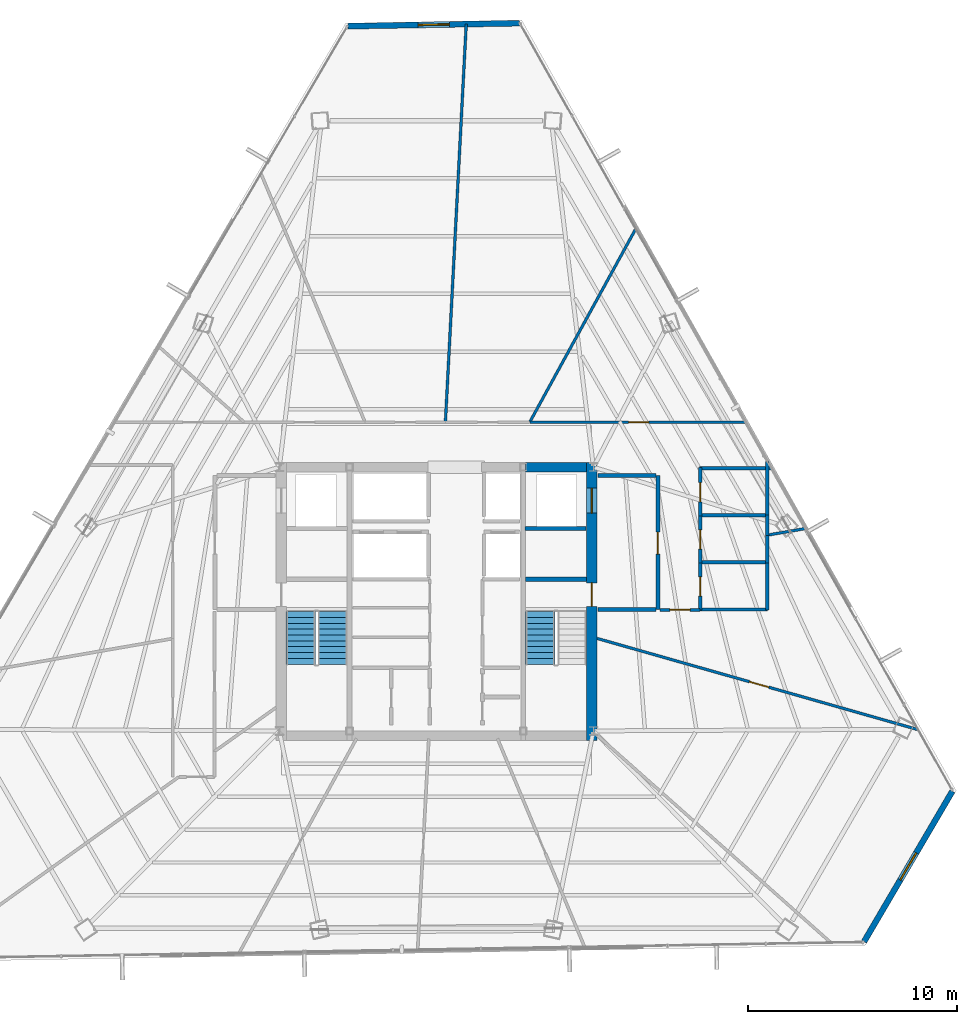
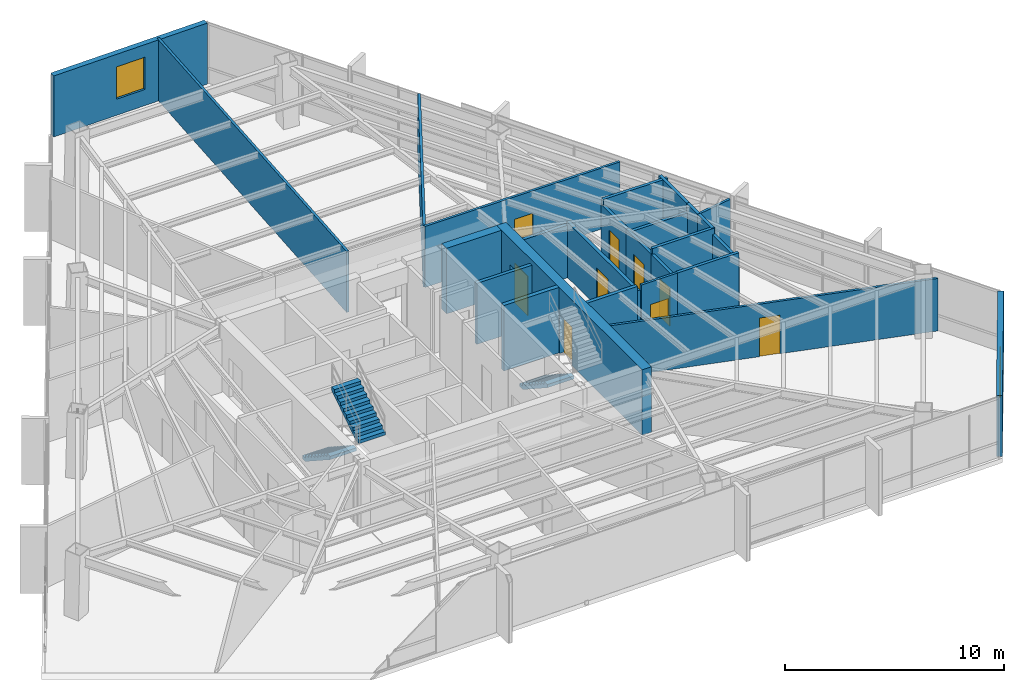
# One storey, part 37 of 42: 26 walls, 9 doors, 3 stair flights, 2 windows, 11 openings, 2 elements without a shape of their own.
"""IFC4 building model written with IfcOpenShell, lengths in metres."""

from ifc_helpers import new_model, si_unit, direction, frame, frame_2d, origin, place, context, subcontext, project, spatial, polyline, rectangle, outline, extrude, material, layer, layer_set, type_object, element, fill, aggregate, save


model = new_model("IFC4")

# Units and contexts
model_context = context("Model", 3, precision=1e-05, world=origin(), true_north=direction((0.0, 1.0)))
body_context = subcontext(model_context, "Body", "Model", "MODEL_VIEW")
ifc_project = project(units=[si_unit("LENGTHUNIT", "METRE"), si_unit("AREAUNIT", "SQUARE_METRE"), si_unit("VOLUMEUNIT", "CUBIC_METRE"), si_unit("PLANEANGLEUNIT", "RADIAN"), si_unit("MASSUNIT", "GRAM", prefix="KILO")], contexts=[model_context])

# Site, building, storey
site_placement = place(None, origin())
site = spatial("IfcSite", under=ifc_project, at=site_placement, CompositionType="ELEMENT")
building_placement = place(site_placement, origin())
building = spatial("IfcBuilding", under=site, at=building_placement, Name="Caelisora Broadcast Tower", CompositionType="ELEMENT")
storey_placement = place(building_placement, frame((0.0, 0.0, 184.050048828125)))
storey = spatial("IfcBuildingStorey", under=building, at=storey_placement, Name="L48", CompositionType="ELEMENT", Elevation=184.050048828125)

# Wall, openings, doors
ifc_material_1 = material(Name="Concrete 50 MPa (AS 3600 S50)", Category="concrete")
ifc_layer_1 = layer(ifc_material_1, 0.5, Name="Concrete 50 MPa (AS 3600 S50)")
ifc_layer_set_1 = layer_set([ifc_layer_1], Name="Concrete 50 MPa (AS 3600 S50)")
wall_type_1 = type_object("IfcWallType", Name="CW2", PredefinedType="SHEAR", material=ifc_layer_set_1)
wall_1_placement = place(storey_placement, frame((45.409912109375, 16.949951171875, 0.0), z_axis=(0.0, 0.0, 1.0), x_axis=(0.0, 1.0, 0.0)))
wall_1 = element("IfcWall", 1, at=wall_1_placement, inside=storey, type_object=wall_type_1, Name="L48 core shear wall CW2", PredefinedType="SHEAR", context=body_context, shape_type="SweptSolid", body=[
    extrude(rectangle(XDim=13.275146484375, YDim=0.5, at=frame_2d((6.6376953125, 0.0))), origin(), (0.0, 0.0, 1.0), 3.64990234375),
])
opening_1_placement = place(wall_1_placement, frame((6.39990234375, 0.0, 0.0)))
opening_1 = element("IfcOpeningElement", 2, at=opening_1_placement, cuts=wall_1, Name="Opening FD04", PredefinedType="OPENING", context=body_context, shape_type="SweptSolid", body=[
    extrude(rectangle(XDim=1.1201171875, YDim=2.14990234375, at=frame_2d((0.56005859375, 1.074951171875))), frame((0.0, 0.261962890625, 0.0), z_axis=(0.0, -1.0, 0.0), x_axis=(1.0, 0.0, 0.0)), (0.0, 0.0, 1.0), 0.52392578125),
])
opening_2_placement = place(wall_1_placement, frame((10.85009765625, 0.0, 0.0)))
opening_2 = element("IfcOpeningElement", 3, at=opening_2_placement, cuts=wall_1, Name="Opening LD04", PredefinedType="OPENING", context=body_context, shape_type="SweptSolid", body=[
    extrude(rectangle(XDim=1.199951171875, YDim=2.199951171875, at=frame_2d((0.60009765625, 1.10009765625))), frame((0.0, 0.261962890625, 0.0), z_axis=(0.0, -1.0, 0.0), x_axis=(1.0, 0.0, 0.0)), (0.0, 0.0, 1.0), 0.52392578125),
])
ifc_material_2 = material(Name="Pressurised Fire-Isolated Stair Door", Category="steel")
door_type_1 = type_object("IfcDoorType", Name="FD04", OperationType="NOTDEFINED", PredefinedType="DOOR", material=ifc_material_2)
door_1_placement = place(opening_1_placement, origin())
door_1 = element("IfcDoor", 4, at=door_1_placement, inside=storey, type_object=door_type_1, Name="L48 door FD04 (L48-DR-ST2)", OperationType="SINGLE_SWING_RIGHT", OverallHeight=2.14990234375, OverallWidth=1.1201171875, PredefinedType="DOOR", context=body_context, shape_type="SweptSolid", body=[
    extrude(rectangle(XDim=1.1201171875, YDim=2.14990234375, at=frame_2d((0.56005859375, 1.074951171875))), frame((0.0, 0.02490234375, 0.0), z_axis=(0.0, -1.0, 0.0), x_axis=(1.0, 0.0, 0.0)), (0.0, 0.0, 1.0), 0.050048828125),
])
fill(opening_1, door_1)
ifc_material_3 = material(Name="Emergency Firefighting Lift Sliding Landing Door", Category="steel")
door_type_2 = type_object("IfcDoorType", Name="LD04", OperationType="NOTDEFINED", PredefinedType="DOOR", material=ifc_material_3)
door_2_placement = place(opening_2_placement, origin())
door_2 = element("IfcDoor", 5, at=door_2_placement, inside=storey, type_object=door_type_2, Name="L48 door LD04 (L48-LD-FFL2)", OperationType="SLIDING_TO_RIGHT", OverallHeight=2.199951171875, OverallWidth=1.199951171875, PredefinedType="DOOR", context=body_context, shape_type="SweptSolid", body=[
    extrude(rectangle(XDim=1.199951171875, YDim=2.199951171875, at=frame_2d((0.60009765625, 1.10009765625))), frame((0.0, 0.02490234375, 0.0), z_axis=(0.0, -1.0, 0.0), x_axis=(1.0, 0.0, 0.0)), (0.0, 0.0, 1.0), 0.050048828125),
])
fill(opening_2, door_2)

# Walls
ifc_layer_2 = layer(ifc_material_1, 0.449951171875, Name="Concrete 50 MPa (AS 3600 S50)")
ifc_layer_set_2 = layer_set([ifc_layer_2], Name="Concrete 50 MPa (AS 3600 S50)")
wall_type_2 = type_object("IfcWallType", Name="CW5", PredefinedType="SHEAR", material=ifc_layer_set_2)
wall_2_placement = place(storey_placement, frame((42.260009765625, 30.0, 0.0), z_axis=(0.0, 0.0, 1.0), x_axis=(1.0, 0.0, 0.0)))
element("IfcWall", 6, at=wall_2_placement, inside=storey, type_object=wall_type_2, Name="L48 core shear wall CW5", PredefinedType="SHEAR", context=body_context, shape_type="SweptSolid", body=[
    extrude(rectangle(XDim=2.89990234375, YDim=0.449951171875, at=frame_2d((1.449951171875, 0.0))), origin(), (0.0, 0.0, 1.0), 3.64990234375),
])
ifc_layer_3 = layer(ifc_material_1, 0.219970703125, Name="Concrete 50 MPa (AS 3600 S50)")
ifc_layer_set_3 = layer_set([ifc_layer_3], Name="Concrete 50 MPa (AS 3600 S50)")
wall_type_3 = type_object("IfcWallType", Name="CW7", PredefinedType="SHEAR", material=ifc_layer_set_3)
wall_3_placement = place(storey_placement, frame((42.260009765625, 24.639892578125, 0.0), z_axis=(0.0, 0.0, 1.0), x_axis=(1.0, 0.0, 0.0)))
element("IfcWall", 7, at=wall_3_placement, inside=storey, type_object=wall_type_3, Name="L48 core shear wall CW7", PredefinedType="SHEAR", context=body_context, shape_type="SweptSolid", body=[
    extrude(rectangle(XDim=2.89990234375, YDim=0.219970703125, at=frame_2d((1.449951171875, 0.0))), origin(), (0.0, 0.0, 1.0), 3.64990234375),
])

# Wall, opening, window
ifc_material_4 = material(Name="Insulated Terracotta Spandrel Wall System", Category="masonry")
ifc_layer_4 = layer(ifc_material_4, 0.280029296875, Name="Insulated Terracotta Spandrel Wall System")
ifc_layer_set_4 = layer_set([ifc_layer_4], Name="Insulated Terracotta Spandrel Wall System")
wall_type_4 = type_object("IfcWallType", Name="EW1", PredefinedType="STANDARD", material=ifc_layer_set_4)
wall_4_placement = place(storey_placement, frame((62.644775390625, 14.51611328125, 0.0), z_axis=(0.0, 0.0, 1.0), x_axis=(-0.506301073963, -0.862356783764, 0.0)))
wall_4 = element("IfcWall", 8, at=wall_4_placement, inside=storey, type_object=wall_type_4, Name="L48 exterior envelope wall EW1", PredefinedType="STANDARD", context=body_context, shape_type="SweptSolid", body=[
    extrude(rectangle(XDim=8.326171875, YDim=0.280029296875, at=frame_2d((4.1630859375, 0.0))), origin(), (0.0, 0.0, 1.0), 3.39990234375),
])
opening_3_placement = place(wall_4_placement, frame((3.409912109375, 0.0, 0.89990234375)))
opening_3 = element("IfcOpeningElement", 9, at=opening_3_placement, cuts=wall_4, Name="Opening W02", PredefinedType="OPENING", context=body_context, shape_type="SweptSolid", body=[
    extrude(rectangle(XDim=1.5, YDim=1.800048828125, at=frame_2d((0.75, 0.89990234375))), frame((0.0, 0.152099609375, 0.0), z_axis=(0.0, -1.0, 0.0), x_axis=(1.0, 0.0, 0.0)), (0.0, 0.0, 1.0), 0.303955078125),
])
ifc_material_5 = material(Name="Double Glazed Terracotta-Framed Vision Window", Category="glass")
window_type = type_object("IfcWindowType", Name="W02", PartitioningType="SINGLE_PANEL", PredefinedType="WINDOW", material=ifc_material_5)
window_1_placement = place(opening_3_placement, origin())
window_1 = element("IfcWindow", 10, at=window_1_placement, inside=storey, type_object=window_type, Name="L48 window W02 (L48-WN-CH0)", OverallHeight=1.800048828125, OverallWidth=1.5, PartitioningType="SINGLE_PANEL", PredefinedType="WINDOW", context=body_context, shape_type="SweptSolid", body=[
    extrude(rectangle(XDim=1.5, YDim=1.800048828125, at=frame_2d((0.75, 0.89990234375))), frame((0.0, 0.030029296875, 0.0), z_axis=(0.0, -1.0, 0.0), x_axis=(1.0, 0.0, 0.0)), (0.0, 0.0, 1.0), 0.06005859375),
])
fill(opening_3, window_1)

wall_5_placement = place(storey_placement, frame((33.784912109375, 51.0625, 0.0), z_axis=(0.0, 0.0, 1.0), x_axis=(0.999846867057, 0.01749978388, 0.0)))
wall_5 = element("IfcWall", 11, at=wall_5_placement, inside=storey, type_object=wall_type_4, Name="L48 exterior envelope wall EW1", PredefinedType="STANDARD", context=body_context, shape_type="SweptSolid", body=[
    extrude(rectangle(XDim=8.17529296875, YDim=0.280029296875, at=frame_2d((4.087646484375, 0.0))), origin(), (0.0, 0.0, 1.0), 3.39990234375),
])
opening_4_placement = place(wall_5_placement, frame((3.340087890625, 0.0, 0.89990234375)))
opening_4 = element("IfcOpeningElement", 12, at=opening_4_placement, cuts=wall_5, Name="Opening W02", PredefinedType="OPENING", context=body_context, shape_type="SweptSolid", body=[
    extrude(rectangle(XDim=1.5, YDim=1.800048828125, at=frame_2d((0.75, 0.89990234375))), frame((0.0, 0.152099609375, 0.0), z_axis=(0.0, -1.0, 0.0), x_axis=(1.0, 0.0, 0.0)), (0.0, 0.0, 1.0), 0.303955078125),
])
window_2_placement = place(opening_4_placement, origin())
window_2 = element("IfcWindow", 13, at=window_2_placement, inside=storey, type_object=window_type, Name="L48 window W02 (L48-WN-CH8)", OverallHeight=1.800048828125, OverallWidth=1.5, PartitioningType="SINGLE_PANEL", PredefinedType="WINDOW", context=body_context, shape_type="SweptSolid", body=[
    extrude(rectangle(XDim=1.5, YDim=1.800048828125, at=frame_2d((0.75, 0.89990234375))), frame((0.0, 0.030029296875, 0.0), z_axis=(0.0, -1.0, 0.0), x_axis=(1.0, 0.0, 0.0)), (0.0, 0.0, 1.0), 0.06005859375),
])
fill(opening_4, window_2)

# Wall, opening, door
ifc_material_6 = material(Name="Fire-Rated Gypsum Shaft and Compartment Wall", Category="gypsum")
ifc_layer_5 = layer(ifc_material_6, 0.179931640625, Name="Fire-Rated Gypsum Shaft and Compartment Wall")
ifc_layer_set_5 = layer_set([ifc_layer_5], Name="Fire-Rated Gypsum Shaft and Compartment Wall")
wall_type_5 = type_object("IfcWallType", Name="PW2", PredefinedType="PARTITIONING", material=ifc_layer_set_5)
wall_6_placement = place(storey_placement, frame((48.580078125, 23.199951171875, 0.0), z_axis=(0.0, 0.0, 1.0), x_axis=(0.0, 1.0, 0.0)))
wall_6 = element("IfcWall", 14, at=wall_6_placement, inside=storey, type_object=wall_type_5, Name="L48 fire compartment wall PW2", PredefinedType="PARTITIONING", context=body_context, shape_type="SweptSolid", body=[
    extrude(rectangle(XDim=6.400146484375, YDim=0.179931640625, at=frame_2d((3.2001953125, 0.0))), origin(), (0.0, 0.0, 1.0), 3.07763671875),
])
opening_5_placement = place(wall_6_placement, frame((2.64990234375, 0.0, 0.0)))
opening_5 = element("IfcOpeningElement", 15, at=opening_5_placement, cuts=wall_6, Name="Opening FD02", PredefinedType="OPENING", context=body_context, shape_type="SweptSolid", body=[
    extrude(rectangle(XDim=1.050048828125, YDim=2.14990234375, at=frame_2d((0.52490234375, 1.074951171875))), frame((0.0, 0.10205078125, 0.0), z_axis=(0.0, -1.0, 0.0), x_axis=(1.0, 0.0, 0.0)), (0.0, 0.0, 1.0), 0.203857421875),
])
ifc_material_7 = material(Name="Single-Leaf Steel Fire Lobby Door", Category="steel")
door_type_3 = type_object("IfcDoorType", Name="FD02", OperationType="NOTDEFINED", PredefinedType="DOOR", material=ifc_material_7)
door_3_placement = place(opening_5_placement, origin())
door_3 = element("IfcDoor", 16, at=door_3_placement, inside=storey, type_object=door_type_3, Name="L48 door FD02 (L48-DR-P04D1)", OperationType="SINGLE_SWING_RIGHT", OverallHeight=2.14990234375, OverallWidth=1.050048828125, PredefinedType="DOOR", context=body_context, shape_type="SweptSolid", body=[
    extrude(rectangle(XDim=1.050048828125, YDim=2.14990234375, at=frame_2d((0.52490234375, 1.074951171875))), frame((0.0, 0.02490234375, 0.0), z_axis=(0.0, -1.0, 0.0), x_axis=(1.0, 0.0, 0.0)), (0.0, 0.0, 1.0), 0.050048828125),
])
fill(opening_5, door_3)

# Walls
wall_7_placement = place(storey_placement, frame((45.719970703125, 23.199951171875, 0.0), z_axis=(0.0, 0.0, 1.0), x_axis=(1.0, 0.0, 0.0)))
element("IfcWall", 17, at=wall_7_placement, inside=storey, type_object=wall_type_5, Name="L48 fire compartment wall PW2", PredefinedType="PARTITIONING", context=body_context, shape_type="SweptSolid", body=[
    extrude(rectangle(XDim=2.760009765625, YDim=0.179931640625, at=frame_2d((1.3798828125, 0.0))), origin(), (0.0, 0.0, 1.0), 3.39990234375),
])
wall_8_placement = place(storey_placement, frame((45.719970703125, 29.60009765625, 0.0), z_axis=(0.0, 0.0, 1.0), x_axis=(1.0, 0.0, 0.0)))
element("IfcWall", 18, at=wall_8_placement, inside=storey, type_object=wall_type_5, Name="L48 fire compartment wall PW2", PredefinedType="PARTITIONING", context=body_context, shape_type="SweptSolid", body=[
    extrude(rectangle(XDim=2.760009765625, YDim=0.179931640625, at=frame_2d((1.3798828125, 0.0))), origin(), (0.0, 0.0, 1.0), 2.924560546875),
])
wall_9_placement = place(storey_placement, frame((42.239990234375, 27.070068359375, 0.0), z_axis=(0.0, 0.0, 1.0), x_axis=(1.0, 0.0, 0.0)))
element("IfcWall", 19, at=wall_9_placement, inside=storey, type_object=wall_type_5, Name="L48 fire compartment wall PW2", PredefinedType="PARTITIONING", context=body_context, shape_type="SweptSolid", body=[
    extrude(rectangle(XDim=2.89990234375, YDim=0.179931640625, at=frame_2d((1.449951171875, 0.0))), origin(), (0.0, 0.0, 1.0), 3.39990234375),
])
ifc_material_8 = material(Name="Acoustic Steel-Stud Plasterboard Partition", Category="gypsum")
ifc_layer_6 = layer(ifc_material_8, 0.1298828125, Name="Acoustic Steel-Stud Plasterboard Partition")
ifc_layer_set_6 = layer_set([ifc_layer_6], Name="Acoustic Steel-Stud Plasterboard Partition")
wall_type_6 = type_object("IfcWallType", Name="PW3", PredefinedType="PARTITIONING", material=ifc_layer_set_6)
wall_10_placement = place(storey_placement, frame((38.429931640625, 32.155029296875, 0.0), z_axis=(0.0, 0.0, 1.0), x_axis=(0.052271420181, 0.998632914855, 0.0)))
element("IfcWall", 20, at=wall_10_placement, inside=storey, type_object=wall_type_6, Name="L48 internal partition PW3", PredefinedType="PARTITIONING", context=body_context, shape_type="SweptSolid", body=[
    extrude(rectangle(XDim=19.03759765625, YDim=0.1298828125, at=frame_2d((9.518798828125, 0.0))), origin(), (0.0, 0.0, 1.0), 3.39990234375),
])

# Wall, opening, door
wall_11_placement = place(storey_placement, frame((45.672119140625, 21.819091796875, 0.0), z_axis=(0.0, 0.0, 1.0), x_axis=(0.961904046383, -0.273387281254, 0.0)))
wall_11 = element("IfcWall", 21, at=wall_11_placement, inside=storey, type_object=wall_type_6, Name="L48 internal partition PW3", PredefinedType="PARTITIONING", context=body_context, shape_type="SweptSolid", body=[
    extrude(rectangle(XDim=15.958251953125, YDim=0.1298828125, at=frame_2d((7.97900390625, 0.0))), origin(), (0.0, 0.0, 1.0), 2.924560546875),
])
opening_6_placement = place(wall_11_placement, frame((7.56494140625, 0.0, 0.0)))
opening_6 = element("IfcOpeningElement", 22, at=opening_6_placement, cuts=wall_11, Name="Opening D01", PredefinedType="OPENING", context=body_context, shape_type="SweptSolid", body=[
    extrude(rectangle(XDim=0.9599609375, YDim=2.14990234375, at=frame_2d((0.47998046875, 1.074951171875))), frame((0.0, 0.076904296875, 0.0), z_axis=(0.0, -1.0, 0.0), x_axis=(1.0, 0.0, 0.0)), (0.0, 0.0, 1.0), 0.15380859375),
])
ifc_material_9 = material(Name="Solid-Core Timber Acoustic Office Door", Category="wood")
door_type_4 = type_object("IfcDoorType", Name="D01", OperationType="NOTDEFINED", PredefinedType="DOOR", material=ifc_material_9)
door_4_placement = place(opening_6_placement, origin())
door_4 = element("IfcDoor", 23, at=door_4_placement, inside=storey, type_object=door_type_4, Name="L48 door D01 (L48-DR-P31D1)", OperationType="SINGLE_SWING_RIGHT", OverallHeight=2.14990234375, OverallWidth=0.9599609375, PredefinedType="DOOR", context=body_context, shape_type="SweptSolid", body=[
    extrude(rectangle(XDim=0.9599609375, YDim=2.14990234375, at=frame_2d((0.47998046875, 1.074951171875))), frame((0.0, 0.02490234375, 0.0), z_axis=(0.0, -1.0, 0.0), x_axis=(1.0, 0.0, 0.0)), (0.0, 0.0, 1.0), 0.050048828125),
])
fill(opening_6, door_4)

# Wall
wall_12_placement = place(storey_placement, frame((42.4619140625, 32.154052734375, 0.0), z_axis=(0.0, 0.0, 1.0), x_axis=(0.480713085345, 0.876877944516, 0.0)))
element("IfcWall", 24, at=wall_12_placement, inside=storey, type_object=wall_type_6, Name="L48 internal partition PW3", PredefinedType="PARTITIONING", context=body_context, shape_type="SweptSolid", body=[
    extrude(rectangle(XDim=10.536865234375, YDim=0.1298828125, at=frame_2d((5.2685546875, 0.0))), origin(), (0.0, 0.0, 1.0), 3.39990234375),
])

# Wall, opening, door
wall_13_placement = place(storey_placement, frame((42.465087890625, 32.14990234375, 0.0), z_axis=(0.0, 0.0, 1.0), x_axis=(1.0, 0.0, 0.0)))
wall_13 = element("IfcWall", 25, at=wall_13_placement, inside=storey, type_object=wall_type_6, Name="L48 internal partition PW3", PredefinedType="PARTITIONING", context=body_context, shape_type="SweptSolid", body=[
    extrude(rectangle(XDim=10.2734375, YDim=0.1298828125, at=frame_2d((5.13671875, 0.0))), origin(), (0.0, 0.0, 1.0), 3.39990234375),
])
opening_7_placement = place(wall_13_placement, frame((4.7119140625, 0.0, 0.0)))
opening_7 = element("IfcOpeningElement", 26, at=opening_7_placement, cuts=wall_13, Name="Opening D01", PredefinedType="OPENING", context=body_context, shape_type="SweptSolid", body=[
    extrude(rectangle(XDim=0.9599609375, YDim=2.14990234375, at=frame_2d((0.47998046875, 1.074951171875))), frame((0.0, 0.076904296875, 0.0), z_axis=(0.0, -1.0, 0.0), x_axis=(1.0, 0.0, 0.0)), (0.0, 0.0, 1.0), 0.15380859375),
])
door_5_placement = place(opening_7_placement, origin())
door_5 = element("IfcDoor", 27, at=door_5_placement, inside=storey, type_object=door_type_4, Name="L48 door D01 (L48-DR-P38D1)", OperationType="SINGLE_SWING_LEFT", OverallHeight=2.14990234375, OverallWidth=0.9599609375, PredefinedType="DOOR", context=body_context, shape_type="SweptSolid", body=[
    extrude(rectangle(XDim=0.9599609375, YDim=2.14990234375, at=frame_2d((0.47998046875, 1.074951171875))), frame((0.0, 0.02490234375, 0.0), z_axis=(0.0, -1.0, 0.0), x_axis=(1.0, 0.0, 0.0)), (0.0, 0.0, 1.0), 0.050048828125),
])
fill(opening_7, door_5)

wall_14_placement = place(storey_placement, frame((48.675048828125, 23.179931640625, 0.0), z_axis=(0.0, 0.0, 1.0), x_axis=(1.0, 0.0, 0.0)))
wall_14 = element("IfcWall", 28, at=wall_14_placement, inside=storey, type_object=wall_type_6, Name="L48 internal partition PW3", PredefinedType="PARTITIONING", context=body_context, shape_type="SweptSolid", body=[
    extrude(rectangle(XDim=1.919921875, YDim=0.1298828125, at=frame_2d((0.9599609375, 0.0))), origin(), (0.0, 0.0, 1.0), 3.39990234375),
])
opening_8_placement = place(wall_14_placement, frame((0.47998046875, 0.0, 0.0)))
opening_8 = element("IfcOpeningElement", 29, at=opening_8_placement, cuts=wall_14, Name="Opening D01", PredefinedType="OPENING", context=body_context, shape_type="SweptSolid", body=[
    extrude(rectangle(XDim=0.9599609375, YDim=2.14990234375, at=frame_2d((0.47998046875, 1.074951171875))), frame((0.0, 0.076904296875, 0.0), z_axis=(0.0, -1.0, 0.0), x_axis=(1.0, 0.0, 0.0)), (0.0, 0.0, 1.0), 0.15380859375),
])
door_6_placement = place(opening_8_placement, origin())
door_6 = element("IfcDoor", 30, at=door_6_placement, inside=storey, type_object=door_type_4, Name="L48 door D01 (L48-DR-P53D1)", OperationType="SINGLE_SWING_RIGHT", OverallHeight=2.14990234375, OverallWidth=0.9599609375, PredefinedType="DOOR", context=body_context, shape_type="SweptSolid", body=[
    extrude(rectangle(XDim=0.9599609375, YDim=2.14990234375, at=frame_2d((0.47998046875, 1.074951171875))), frame((0.0, 0.02490234375, 0.0), z_axis=(0.0, -1.0, 0.0), x_axis=(1.0, 0.0, 0.0)), (0.0, 0.0, 1.0), 0.050048828125),
])
fill(opening_8, door_6)

# Walls
wall_15_placement = place(storey_placement, frame((53.804931640625, 26.7509765625, 0.0), z_axis=(0.0, 0.0, 1.0), x_axis=(0.985406108754, 0.170219860271, 0.0)))
element("IfcWall", 31, at=wall_15_placement, inside=storey, type_object=wall_type_6, Name="L48 internal partition PW3", PredefinedType="PARTITIONING", context=body_context, shape_type="SweptSolid", body=[
    extrude(rectangle(XDim=1.82861328125, YDim=0.1298828125, at=frame_2d((0.914306640625, 0.0))), origin(), (0.0, 0.0, 1.0), 3.39990234375),
])
ifc_material_10 = material(Name="Moisture-Resistant Wet Plumbing Service Wall", Category="gypsum")
ifc_layer_7 = layer(ifc_material_10, 0.159912109375, Name="Moisture-Resistant Wet Plumbing Service Wall")
ifc_layer_set_7 = layer_set([ifc_layer_7], Name="Moisture-Resistant Wet Plumbing Service Wall")
wall_type_7 = type_object("IfcWallType", Name="PW4", PredefinedType="PLUMBINGWALL", material=ifc_layer_set_7)
for number, where, z_axis, x_axis, name in (
    (32, (50.574951171875, 23.199951171875, 0.0), (0.0, 0.0, 1.0), (1.0, 0.0, 0.0), "L48 wet plumbing wall PW4"),
    (33, (50.574951171875, 25.449951171875, 0.0), (0.0, 0.0, 1.0), (1.0, 0.0, 0.0), "L48 wet plumbing wall PW4"),
):
    element("IfcWall", number, at=place(storey_placement, frame(where, z_axis=z_axis, x_axis=x_axis)), inside=storey, type_object=wall_type_7, Name=name, PredefinedType="PLUMBINGWALL", context=body_context, shape_type="SweptSolid", body=[
        extrude(rectangle(XDim=3.25, YDim=0.159912109375, at=frame_2d((1.625, 0.0))), origin(), (0.0, 0.0, 1.0), 3.39990234375),
    ])
wall_16_placement = place(storey_placement, frame((50.574951171875, 27.699951171875, 0.0), z_axis=(0.0, 0.0, 1.0), x_axis=(1.0, 0.0, 0.0)))
element("IfcWall", 34, at=wall_16_placement, inside=storey, type_object=wall_type_7, Name="L48 wet plumbing wall PW4", PredefinedType="PLUMBINGWALL", context=body_context, shape_type="SweptSolid", body=[
    extrude(rectangle(XDim=3.25, YDim=0.159912109375, at=frame_2d((1.625, 0.0))), origin(), (0.0, 0.0, 1.0), 2.924560546875),
])
wall_17_placement = place(storey_placement, frame((53.983154296875, 29.949951171875, 0.0), z_axis=(0.0, 0.0, 1.0), x_axis=(-1.0, 0.0, 0.0)))
element("IfcWall", 35, at=wall_17_placement, inside=storey, type_object=wall_type_7, Name="L48 wet plumbing wall PW4", PredefinedType="PLUMBINGWALL", context=body_context, shape_type="SweptSolid", body=[
    extrude(rectangle(XDim=3.408203125, YDim=0.159912109375, at=frame_2d((1.7041015625, 0.0))), origin(), (0.0, 0.0, 1.0), 3.39990234375),
])

# Wall, opening, door
wall_18_placement = place(storey_placement, frame((50.60009765625, 27.675048828125, 0.0), z_axis=(0.0, 0.0, 1.0), x_axis=(0.0, 1.0, 0.0)))
wall_18 = element("IfcWall", 36, at=wall_18_placement, inside=storey, type_object=wall_type_7, Name="L48 wet plumbing wall PW4", PredefinedType="PLUMBINGWALL", context=body_context, shape_type="SweptSolid", body=[
    extrude(rectangle(XDim=2.300048828125, YDim=0.159912109375, at=frame_2d((1.14990234375, 0.0))), origin(), (0.0, 0.0, 1.0), 3.07763671875),
])
opening_9_placement = place(wall_18_placement, frame((0.659912109375, 0.0, 0.0)))
opening_9 = element("IfcOpeningElement", 37, at=opening_9_placement, cuts=wall_18, Name="Opening D03", PredefinedType="OPENING", context=body_context, shape_type="SweptSolid", body=[
    extrude(rectangle(XDim=0.919921875, YDim=2.10009765625, at=frame_2d((0.4599609375, 1.050048828125))), frame((0.0, 0.092041015625, 0.0), z_axis=(0.0, -1.0, 0.0), x_axis=(1.0, 0.0, 0.0)), (0.0, 0.0, 1.0), 0.183837890625),
])
ifc_material_11 = material(Name="Laminate Moisture-Resistant Amenity WC Door", Category="wood")
door_type_5 = type_object("IfcDoorType", Name="D03", OperationType="NOTDEFINED", PredefinedType="DOOR", material=ifc_material_11)
door_7_placement = place(opening_9_placement, origin())
door_7 = element("IfcDoor", 38, at=door_7_placement, inside=storey, type_object=door_type_5, Name="L48 door D03 (L48-DR-P23D1)", OperationType="SINGLE_SWING_LEFT", OverallHeight=2.10009765625, OverallWidth=0.919921875, PredefinedType="DOOR", context=body_context, shape_type="SweptSolid", body=[
    extrude(rectangle(XDim=0.919921875, YDim=2.10009765625, at=frame_2d((0.4599609375, 1.050048828125))), frame((0.0, 0.02490234375, 0.0), z_axis=(0.0, -1.0, 0.0), x_axis=(1.0, 0.0, 0.0)), (0.0, 0.0, 1.0), 0.050048828125),
])
fill(opening_9, door_7)

wall_19_placement = place(storey_placement, frame((50.60009765625, 25.425048828125, 0.0), z_axis=(0.0, 0.0, 1.0), x_axis=(0.0, 1.0, 0.0)))
wall_19 = element("IfcWall", 39, at=wall_19_placement, inside=storey, type_object=wall_type_7, Name="L48 wet plumbing wall PW4", PredefinedType="PLUMBINGWALL", context=body_context, shape_type="SweptSolid", body=[
    extrude(rectangle(XDim=2.300048828125, YDim=0.159912109375, at=frame_2d((1.14990234375, 0.0))), origin(), (0.0, 0.0, 1.0), 3.07763671875),
])
opening_10_placement = place(wall_19_placement, frame((0.659912109375, 0.0, 0.0)))
opening_10 = element("IfcOpeningElement", 40, at=opening_10_placement, cuts=wall_19, Name="Opening D03", PredefinedType="OPENING", context=body_context, shape_type="SweptSolid", body=[
    extrude(rectangle(XDim=0.919921875, YDim=2.10009765625, at=frame_2d((0.4599609375, 1.050048828125))), frame((0.0, 0.092041015625, 0.0), z_axis=(0.0, -1.0, 0.0), x_axis=(1.0, 0.0, 0.0)), (0.0, 0.0, 1.0), 0.183837890625),
])
door_8_placement = place(opening_10_placement, origin())
door_8 = element("IfcDoor", 41, at=door_8_placement, inside=storey, type_object=door_type_5, Name="L48 door D03 (L48-DR-P24D1)", OperationType="SINGLE_SWING_RIGHT", OverallHeight=2.10009765625, OverallWidth=0.919921875, PredefinedType="DOOR", context=body_context, shape_type="SweptSolid", body=[
    extrude(rectangle(XDim=0.919921875, YDim=2.10009765625, at=frame_2d((0.4599609375, 1.050048828125))), frame((0.0, 0.02490234375, 0.0), z_axis=(0.0, -1.0, 0.0), x_axis=(1.0, 0.0, 0.0)), (0.0, 0.0, 1.0), 0.050048828125),
])
fill(opening_10, door_8)

wall_20_placement = place(storey_placement, frame((50.60009765625, 23.175048828125, 0.0), z_axis=(0.0, 0.0, 1.0), x_axis=(0.0, 1.0, 0.0)))
wall_20 = element("IfcWall", 42, at=wall_20_placement, inside=storey, type_object=wall_type_7, Name="L48 wet plumbing wall PW4", PredefinedType="PLUMBINGWALL", context=body_context, shape_type="SweptSolid", body=[
    extrude(rectangle(XDim=2.300048828125, YDim=0.159912109375, at=frame_2d((1.14990234375, 0.0))), origin(), (0.0, 0.0, 1.0), 3.07763671875),
])
opening_11_placement = place(wall_20_placement, frame((0.659912109375, 0.0, 0.0)))
opening_11 = element("IfcOpeningElement", 43, at=opening_11_placement, cuts=wall_20, Name="Opening D03", PredefinedType="OPENING", context=body_context, shape_type="SweptSolid", body=[
    extrude(rectangle(XDim=0.919921875, YDim=2.10009765625, at=frame_2d((0.4599609375, 1.050048828125))), frame((0.0, 0.092041015625, 0.0), z_axis=(0.0, -1.0, 0.0), x_axis=(1.0, 0.0, 0.0)), (0.0, 0.0, 1.0), 0.183837890625),
])
door_9_placement = place(opening_11_placement, origin())
door_9 = element("IfcDoor", 44, at=door_9_placement, inside=storey, type_object=door_type_5, Name="L48 door D03 (L48-DR-P25D1)", OperationType="SINGLE_SWING_LEFT", OverallHeight=2.10009765625, OverallWidth=0.919921875, PredefinedType="DOOR", context=body_context, shape_type="SweptSolid", body=[
    extrude(rectangle(XDim=0.919921875, YDim=2.10009765625, at=frame_2d((0.4599609375, 1.050048828125))), frame((0.0, 0.02490234375, 0.0), z_axis=(0.0, -1.0, 0.0), x_axis=(1.0, 0.0, 0.0)), (0.0, 0.0, 1.0), 0.050048828125),
])
fill(opening_11, door_9)

# Walls
wall_21_placement = place(storey_placement, frame((53.800048828125, 23.175048828125, 0.0), z_axis=(0.0, 0.0, 1.0), x_axis=(0.0, 1.0, 0.0)))
element("IfcWall", 45, at=wall_21_placement, inside=storey, type_object=wall_type_7, Name="L48 wet plumbing wall PW4", PredefinedType="PLUMBINGWALL", context=body_context, shape_type="SweptSolid", body=[
    extrude(rectangle(XDim=2.300048828125, YDim=0.159912109375, at=frame_2d((1.14990234375, 0.0))), origin(), (0.0, 0.0, 1.0), 3.07763671875),
])
wall_22_placement = place(storey_placement, frame((53.800048828125, 27.675048828125, 0.0), z_axis=(0.0, 0.0, 1.0), x_axis=(0.0, 1.0, 0.0)))
element("IfcWall", 46, at=wall_22_placement, inside=storey, type_object=wall_type_7, Name="L48 wet plumbing wall PW4", PredefinedType="PLUMBINGWALL", context=body_context, shape_type="SweptSolid", body=[
    extrude(rectangle(XDim=2.592041015625, YDim=0.159912109375, at=frame_2d((1.2958984375, 0.0))), origin(), (0.0, 0.0, 1.0), 3.39990234375),
])
wall_23_placement = place(storey_placement, frame((53.800048828125, 25.425048828125, 0.0), z_axis=(0.0, 0.0, 1.0), x_axis=(0.0, 1.0, 0.0)))
element("IfcWall", 47, at=wall_23_placement, inside=storey, type_object=wall_type_7, Name="L48 wet plumbing wall PW4", PredefinedType="PLUMBINGWALL", context=body_context, shape_type="SweptSolid", body=[
    extrude(rectangle(XDim=1.349853515625, YDim=0.159912109375, at=frame_2d((0.6748046875, 0.0))), origin(), (0.0, 0.0, 1.0), 3.39990234375),
])
wall_24_placement = place(storey_placement, frame((53.800048828125, 26.72509765625, 0.0), z_axis=(0.0, 0.0, 1.0), x_axis=(0.0, 1.0, 0.0)))
element("IfcWall", 48, at=wall_24_placement, inside=storey, type_object=wall_type_7, Name="L48 wet plumbing wall PW4", PredefinedType="PLUMBINGWALL", context=body_context, shape_type="SweptSolid", body=[
    extrude(rectangle(XDim=1.0, YDim=0.159912109375, at=frame_2d((0.5, 0.0))), origin(), (0.0, 0.0, 1.0), 3.39990234375),
])

# Stair, stair flights
ifc_material_12 = material(Name="Concrete 40 MPa (AS 3600 N40)", Category="concrete")
stair_type_1 = type_object("IfcStairType", Name="ST-1", PredefinedType="HALF_TURN_STAIR", material=ifc_material_12)
stair_1_placement = place(storey_placement, origin())
stair_1 = element("IfcStair", 49, at=stair_1_placement, inside=storey, type_object=stair_type_1, Name="L48 West Fire-Isolated Tower Stair", PredefinedType="HALF_TURN_STAIR")
stair_flight_type = type_object("IfcStairFlightType", Name="STF-3", PredefinedType="STRAIGHT", material=ifc_material_12)
stair_flight_1_placement = place(storey_placement, frame((31.52001953125, 23.10009765625, 0.0), z_axis=(0.0, 0.0, 1.0), x_axis=(0.0, -1.0, 0.0)))
stair_flight_1 = element("IfcStairFlight", 50, at=stair_flight_1_placement, type_object=stair_flight_type, Name="ST-1 flight 1", NumberOfRisers=10, NumberOfTreads=9, PredefinedType="STRAIGHT", RiserHeight=0.1825, TreadLength=0.28, context=body_context, shape_type="SweptSolid", body=[
    extrude(outline(polyline([(0.0, 0.0), (0.0, 0.1826171875), (0.280029296875, 0.1826171875), (0.280029296875, 0.364990234375), (0.56005859375, 0.364990234375), (0.56005859375, 0.547607421875), (0.840087890625, 0.547607421875), (0.840087890625, 0.72998046875), (1.1201171875, 0.72998046875), (1.1201171875, 0.91259765625), (1.39990234375, 0.91259765625), (1.39990234375, 1.094970703125), (1.679931640625, 1.094970703125), (1.679931640625, 1.277587890625), (1.9599609375, 1.277587890625), (1.9599609375, 1.4599609375), (2.239990234375, 1.4599609375), (2.239990234375, 1.642578125), (2.52001953125, 1.642578125), (2.52001953125, 1.824951171875), (2.52001953125, 1.463623046875), (0.2744140625, 0.0), (0.0, 0.0)])), frame((0.0, 0.699951171875, 0.0), z_axis=(0.0, -1.0, 0.0), x_axis=(1.0, 0.0, 0.0)), (0.0, 0.0, 1.0), 1.39990234375),
])
stair_flight_2_placement = place(storey_placement, frame((33.0400390625, 20.580078125, 1.824951171875), z_axis=(0.0, 0.0, 1.0), x_axis=(0.0, 1.0, 0.0)))
stair_flight_2 = element("IfcStairFlight", 51, at=stair_flight_2_placement, type_object=stair_flight_type, Name="ST-1 flight 2", NumberOfRisers=10, NumberOfTreads=9, PredefinedType="STRAIGHT", RiserHeight=0.1825, TreadLength=0.28, context=body_context, shape_type="SweptSolid", body=[
    extrude(outline(polyline([(0.0, 0.0), (0.0, 0.1826171875), (0.280029296875, 0.1826171875), (0.280029296875, 0.364990234375), (0.56005859375, 0.364990234375), (0.56005859375, 0.547607421875), (0.840087890625, 0.547607421875), (0.840087890625, 0.72998046875), (1.1201171875, 0.72998046875), (1.1201171875, 0.91259765625), (1.39990234375, 0.91259765625), (1.39990234375, 1.094970703125), (1.679931640625, 1.094970703125), (1.679931640625, 1.277587890625), (1.9599609375, 1.277587890625), (1.9599609375, 1.4599609375), (2.239990234375, 1.4599609375), (2.239990234375, 1.642578125), (2.52001953125, 1.642578125), (2.52001953125, 1.824951171875), (2.52001953125, 1.463623046875), (0.2744140625, 0.0), (0.0, 0.0)])), frame((0.0, 0.699951171875, 0.0), z_axis=(0.0, -1.0, 0.0), x_axis=(1.0, 0.0, 0.0)), (0.0, 0.0, 1.0), 1.39990234375),
])
aggregate(stair_1, [stair_flight_1, stair_flight_2])

# Stair, stair flight
stair_type_2 = type_object("IfcStairType", Name="ST-2", PredefinedType="HALF_TURN_STAIR", material=ifc_material_12)
stair_2_placement = place(storey_placement, origin())
stair_2 = element("IfcStair", 52, at=stair_2_placement, inside=storey, type_object=stair_type_2, Name="L48 East Fire-Isolated Tower Stair", PredefinedType="HALF_TURN_STAIR")
stair_flight_3_placement = place(storey_placement, frame((42.9599609375, 23.10009765625, 0.0), z_axis=(0.0, 0.0, 1.0), x_axis=(0.0, -1.0, 0.0)))
stair_flight_3 = element("IfcStairFlight", 53, at=stair_flight_3_placement, type_object=stair_flight_type, Name="ST-2 flight 1", NumberOfRisers=10, NumberOfTreads=9, PredefinedType="STRAIGHT", RiserHeight=0.1825, TreadLength=0.28, context=body_context, shape_type="SweptSolid", body=[
    extrude(outline(polyline([(0.0, 0.0), (0.0, 0.1826171875), (0.280029296875, 0.1826171875), (0.280029296875, 0.364990234375), (0.56005859375, 0.364990234375), (0.56005859375, 0.547607421875), (0.840087890625, 0.547607421875), (0.840087890625, 0.72998046875), (1.1201171875, 0.72998046875), (1.1201171875, 0.91259765625), (1.39990234375, 0.91259765625), (1.39990234375, 1.094970703125), (1.679931640625, 1.094970703125), (1.679931640625, 1.277587890625), (1.9599609375, 1.277587890625), (1.9599609375, 1.4599609375), (2.239990234375, 1.4599609375), (2.239990234375, 1.642578125), (2.52001953125, 1.642578125), (2.52001953125, 1.824951171875), (2.52001953125, 1.463623046875), (0.2744140625, 0.0), (0.0, 0.0)])), frame((0.0, 0.699951171875, 0.0), z_axis=(0.0, -1.0, 0.0), x_axis=(1.0, 0.0, 0.0)), (0.0, 0.0, 1.0), 1.39990234375),
])
aggregate(stair_2, [stair_flight_3])

save(model, "model.ifc")
